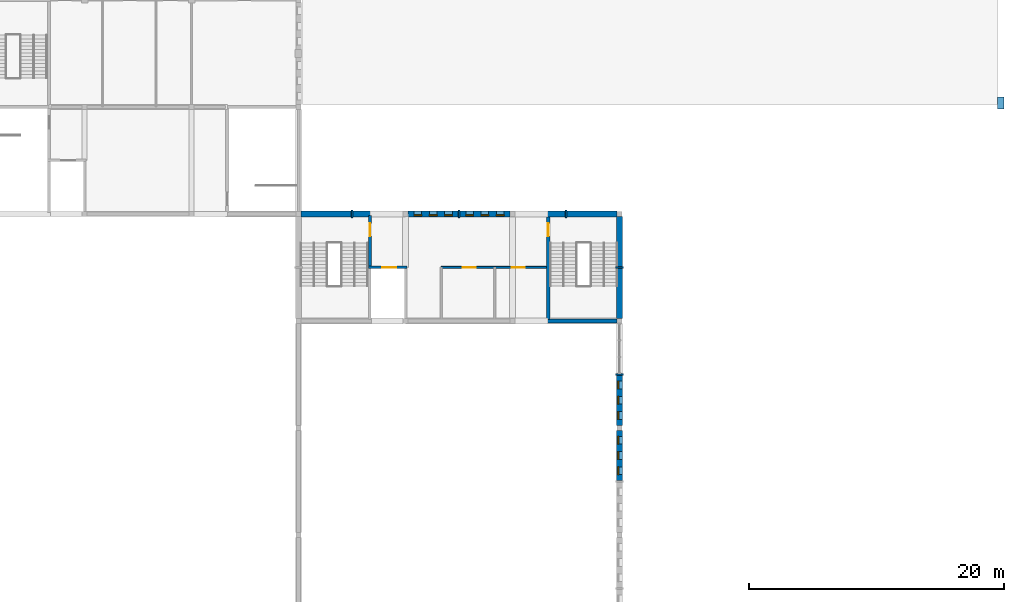
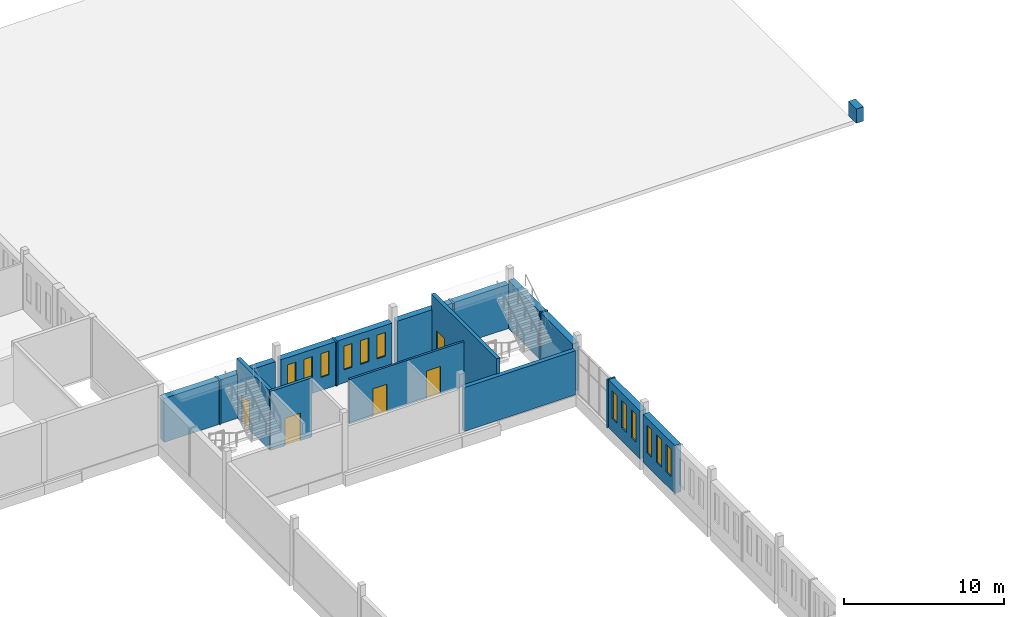
# One storey, part 88 of 101: 21 walls, 12 windows, 5 doors, 17 openings.
"""IFC4 building model written with IfcOpenShell, lengths in metres."""

from ifc_helpers import new_model, si_unit, direction, frame, frame_2d, origin, place, context, subcontext, project, spatial, rectangle, extrude, material, layer, layer_set, type_object, element, fill, save


model = new_model("IFC4")

# Units and contexts
model_context = context("Model", 3, precision=1e-05, world=origin(), true_north=direction((0.0, 1.0)))
body_context = subcontext(model_context, "Body", "Model", "MODEL_VIEW")
ifc_project = project(units=[si_unit("LENGTHUNIT", "METRE"), si_unit("AREAUNIT", "SQUARE_METRE"), si_unit("VOLUMEUNIT", "CUBIC_METRE"), si_unit("PLANEANGLEUNIT", "RADIAN"), si_unit("MASSUNIT", "GRAM", prefix="KILO")], contexts=[model_context])

# Site, building, storey
site_placement = place(None, origin())
site = spatial("IfcSite", under=ifc_project, at=site_placement, CompositionType="ELEMENT")
building_placement = place(site_placement, origin())
building = spatial("IfcBuilding", under=site, at=building_placement, Name="Fescue Hill Polytechnic", CompositionType="ELEMENT")
storey_placement = place(building_placement, frame((0.0, 0.0, 9.0)))
storey = spatial("IfcBuildingStorey", under=building, at=storey_placement, Name="L02", CompositionType="ELEMENT", Elevation=9.0)

# Wall, opening, door
ifc_material_1 = material(Name="Concrete 40 MPa", Category="concrete")
ifc_layer_1 = layer(ifc_material_1, 0.25)
ifc_layer_set_1 = layer_set([ifc_layer_1], Name="Concrete 40 MPa")
wall_type_1 = type_object("IfcWallType", Name="Core wall 250", PredefinedType="SHEAR", material=ifc_layer_set_1)
wall_1_placement = place(storey_placement, frame((123.199951171875, 96.610107421875, 0.0), z_axis=(0.0, 0.0, 1.0), x_axis=(0.0, 1.0, 0.0)))
wall_1 = element("IfcWall", 1, at=wall_1_placement, inside=storey, type_object=wall_type_1, Name="CW-L02-ST-V2-1-41", PredefinedType="SHEAR", context=body_context, shape_type="SweptSolid", body=[
    extrude(rectangle(XDim=4.06494140625, YDim=0.25, at=frame_2d((2.032470703125, 0.0))), origin(), (0.0, 0.0, 1.0), 4.5),
])
opening_1_placement = place(wall_1_placement, frame((2.43994140625, 0.0, 0.0)))
opening_1 = element("IfcOpeningElement", 2, at=opening_1_placement, cuts=wall_1, Name="Opening D2083", PredefinedType="OPENING", context=body_context, shape_type="SweptSolid", body=[
    extrude(rectangle(XDim=1.0, YDim=2.10009765625, at=frame_2d((0.5, 1.050048828125))), frame((0.0, 0.135009765625, 0.0), z_axis=(0.0, -1.0, 0.0), x_axis=(1.0, 0.0, 0.0)), (0.0, 0.0, 1.0), 0.27001953125),
])
ifc_material_2 = material(Name="Steel fire door", Category="steel")
door_type_1 = type_object("IfcDoorType", Name="Door single swing 1000x2100 stair fire rated", OperationType="NOTDEFINED", PredefinedType="DOOR", material=ifc_material_2)
door_1_placement = place(opening_1_placement, origin())
door_1 = element("IfcDoor", 3, at=door_1_placement, inside=storey, type_object=door_type_1, Name="L02 ST-V2-1 stair door", OperationType="SINGLE_SWING_LEFT", OverallHeight=2.10009765625, OverallWidth=1.0, PredefinedType="DOOR", context=body_context, shape_type="SweptSolid", body=[
    extrude(rectangle(XDim=1.0, YDim=2.10009765625, at=frame_2d((0.5, 1.050048828125))), frame((0.0, 0.02490234375, 0.0), z_axis=(0.0, -1.0, 0.0), x_axis=(1.0, 0.0, 0.0)), (0.0, 0.0, 1.0), 0.050048828125),
])
fill(opening_1, door_1)

wall_2_placement = place(storey_placement, frame((137.199951171875, 92.52490234375, 0.0), z_axis=(0.0, 0.0, 1.0), x_axis=(0.0, 1.0, 0.0)))
wall_2 = element("IfcWall", 4, at=wall_2_placement, inside=storey, type_object=wall_type_1, Name="CW-L02-ST-V2-2-31", PredefinedType="SHEAR", context=body_context, shape_type="SweptSolid", body=[
    extrude(rectangle(XDim=8.150146484375, YDim=0.25, at=frame_2d((4.0751953125, 0.0))), origin(), (0.0, 0.0, 1.0), 4.5),
])
opening_2_placement = place(wall_2_placement, frame((6.52490234375, 0.0, 0.0)))
opening_2 = element("IfcOpeningElement", 5, at=opening_2_placement, cuts=wall_2, Name="Opening D2084", PredefinedType="OPENING", context=body_context, shape_type="SweptSolid", body=[
    extrude(rectangle(XDim=1.0, YDim=2.10009765625, at=frame_2d((0.5, 1.050048828125))), frame((0.0, 0.135009765625, 0.0), z_axis=(0.0, -1.0, 0.0), x_axis=(1.0, 0.0, 0.0)), (0.0, 0.0, 1.0), 0.27001953125),
])
door_2_placement = place(opening_2_placement, origin())
door_2 = element("IfcDoor", 6, at=door_2_placement, inside=storey, type_object=door_type_1, Name="L02 ST-V2-2 stair door", OperationType="SINGLE_SWING_RIGHT", OverallHeight=2.10009765625, OverallWidth=1.0, PredefinedType="DOOR", context=body_context, shape_type="SweptSolid", body=[
    extrude(rectangle(XDim=1.0, YDim=2.10009765625, at=frame_2d((0.5, 1.050048828125))), frame((0.0, 0.02490234375, 0.0), z_axis=(0.0, -1.0, 0.0), x_axis=(1.0, 0.0, 0.0)), (0.0, 0.0, 1.0), 0.050048828125),
])
fill(opening_2, door_2)

# Wall, openings, windows
ifc_layer_2 = layer(ifc_material_1, 0.449951171875)
ifc_layer_set_2 = layer_set([ifc_layer_2], Name="Concrete 40 MPa")
wall_type_2 = type_object("IfcWallType", Name="Exterior wall board-marked concrete 450", PredefinedType="SOLIDWALL", material=ifc_layer_set_2)
wall_3_placement = place(storey_placement, frame((134.199951171875, 100.800048828125, 0.0), z_axis=(0.0, 0.0, 1.0), x_axis=(-1.0, 0.0, 0.0)))
wall_3 = element("IfcWall", 7, at=wall_3_placement, inside=storey, type_object=wall_type_2, Name="EW-L02-V2-10", PredefinedType="SOLIDWALL", context=body_context, shape_type="SweptSolid", body=[
    extrude(rectangle(XDim=3.93994140625, YDim=0.449951171875, at=frame_2d((1.969970703125, 0.0))), origin(), (0.0, 0.0, 1.0), 3.35009765625),
])
opening_3_placement = place(wall_3_placement, frame((0.469970703125, 0.0, 1.0)))
opening_3 = element("IfcOpeningElement", 8, at=opening_3_placement, cuts=wall_3, Name="Opening W6R", PredefinedType="OPENING", context=body_context, shape_type="SweptSolid", body=[
    extrude(rectangle(XDim=0.60009765625, YDim=1.800048828125, at=frame_2d((0.300048828125, 0.89990234375))), frame((0.0, 0.23486328125, 0.0), z_axis=(0.0, -1.0, 0.0), x_axis=(1.0, 0.0, 0.0)), (0.0, 0.0, 1.0), 0.469970703125),
])
opening_4_placement = place(wall_3_placement, frame((1.669921875, 0.0, 1.0)))
opening_4 = element("IfcOpeningElement", 9, at=opening_4_placement, cuts=wall_3, Name="Opening W6R", PredefinedType="OPENING", context=body_context, shape_type="SweptSolid", body=[
    extrude(rectangle(XDim=0.60009765625, YDim=1.800048828125, at=frame_2d((0.300048828125, 0.89990234375))), frame((0.0, 0.23486328125, 0.0), z_axis=(0.0, -1.0, 0.0), x_axis=(1.0, 0.0, 0.0)), (0.0, 0.0, 1.0), 0.469970703125),
])
opening_5_placement = place(wall_3_placement, frame((2.8701171875, 0.0, 1.0)))
opening_5 = element("IfcOpeningElement", 10, at=opening_5_placement, cuts=wall_3, Name="Opening W6R", PredefinedType="OPENING", context=body_context, shape_type="SweptSolid", body=[
    extrude(rectangle(XDim=0.60009765625, YDim=1.800048828125, at=frame_2d((0.300048828125, 0.89990234375))), frame((0.0, 0.23486328125, 0.0), z_axis=(0.0, -1.0, 0.0), x_axis=(1.0, 0.0, 0.0)), (0.0, 0.0, 1.0), 0.469970703125),
])
ifc_material_3 = material(Name="Powder-coated aluminium and glass", Category="aluminium")
window_type_1 = type_object("IfcWindowType", Name="Window slot 600x1800", PartitioningType="SINGLE_PANEL", PredefinedType="WINDOW", material=ifc_material_3)
window_1_placement = place(opening_3_placement, origin())
window_1 = element("IfcWindow", 11, at=window_1_placement, inside=storey, type_object=window_type_1, Name="WN-L02-V2-1", OverallHeight=1.800048828125, OverallWidth=0.60009765625, PartitioningType="SINGLE_PANEL", PredefinedType="WINDOW", context=body_context, shape_type="SweptSolid", body=[
    extrude(rectangle(XDim=0.60009765625, YDim=1.800048828125, at=frame_2d((0.300048828125, 0.89990234375))), frame((0.0, 0.135009765625, 0.0), z_axis=(0.0, -1.0, 0.0), x_axis=(1.0, 0.0, 0.0)), (0.0, 0.0, 1.0), 0.06005859375),
])
fill(opening_3, window_1)
window_2_placement = place(opening_4_placement, origin())
window_2 = element("IfcWindow", 12, at=window_2_placement, inside=storey, type_object=window_type_1, Name="WN-L02-V2-2", OverallHeight=1.800048828125, OverallWidth=0.60009765625, PartitioningType="SINGLE_PANEL", PredefinedType="WINDOW", context=body_context, shape_type="SweptSolid", body=[
    extrude(rectangle(XDim=0.60009765625, YDim=1.800048828125, at=frame_2d((0.300048828125, 0.89990234375))), frame((0.0, 0.135009765625, 0.0), z_axis=(0.0, -1.0, 0.0), x_axis=(1.0, 0.0, 0.0)), (0.0, 0.0, 1.0), 0.06005859375),
])
fill(opening_4, window_2)
window_3_placement = place(opening_5_placement, origin())
window_3 = element("IfcWindow", 13, at=window_3_placement, inside=storey, type_object=window_type_1, Name="WN-L02-V2-3", OverallHeight=1.800048828125, OverallWidth=0.60009765625, PartitioningType="SINGLE_PANEL", PredefinedType="WINDOW", context=body_context, shape_type="SweptSolid", body=[
    extrude(rectangle(XDim=0.60009765625, YDim=1.800048828125, at=frame_2d((0.300048828125, 0.89990234375))), frame((0.0, 0.135009765625, 0.0), z_axis=(0.0, -1.0, 0.0), x_axis=(1.0, 0.0, 0.0)), (0.0, 0.0, 1.0), 0.06005859375),
])
fill(opening_5, window_3)

wall_4_placement = place(storey_placement, frame((130.139892578125, 100.800048828125, 0.0), z_axis=(0.0, 0.0, 1.0), x_axis=(-1.0, 0.0, 0.0)))
wall_4 = element("IfcWall", 14, at=wall_4_placement, inside=storey, type_object=wall_type_2, Name="EW-L02-V2-11", PredefinedType="SOLIDWALL", context=body_context, shape_type="SweptSolid", body=[
    extrude(rectangle(XDim=3.93994140625, YDim=0.449951171875, at=frame_2d((1.969970703125, 0.0))), origin(), (0.0, 0.0, 1.0), 3.35009765625),
])
opening_6_placement = place(wall_4_placement, frame((0.469970703125, 0.0, 1.0)))
opening_6 = element("IfcOpeningElement", 15, at=opening_6_placement, cuts=wall_4, Name="Opening W6R", PredefinedType="OPENING", context=body_context, shape_type="SweptSolid", body=[
    extrude(rectangle(XDim=0.60009765625, YDim=1.800048828125, at=frame_2d((0.300048828125, 0.89990234375))), frame((0.0, 0.23486328125, 0.0), z_axis=(0.0, -1.0, 0.0), x_axis=(1.0, 0.0, 0.0)), (0.0, 0.0, 1.0), 0.469970703125),
])
opening_7_placement = place(wall_4_placement, frame((1.669921875, 0.0, 1.0)))
opening_7 = element("IfcOpeningElement", 16, at=opening_7_placement, cuts=wall_4, Name="Opening W6R", PredefinedType="OPENING", context=body_context, shape_type="SweptSolid", body=[
    extrude(rectangle(XDim=0.60009765625, YDim=1.800048828125, at=frame_2d((0.300048828125, 0.89990234375))), frame((0.0, 0.23486328125, 0.0), z_axis=(0.0, -1.0, 0.0), x_axis=(1.0, 0.0, 0.0)), (0.0, 0.0, 1.0), 0.469970703125),
])
opening_8_placement = place(wall_4_placement, frame((2.8701171875, 0.0, 1.0)))
opening_8 = element("IfcOpeningElement", 17, at=opening_8_placement, cuts=wall_4, Name="Opening W6R", PredefinedType="OPENING", context=body_context, shape_type="SweptSolid", body=[
    extrude(rectangle(XDim=0.60009765625, YDim=1.800048828125, at=frame_2d((0.300048828125, 0.89990234375))), frame((0.0, 0.23486328125, 0.0), z_axis=(0.0, -1.0, 0.0), x_axis=(1.0, 0.0, 0.0)), (0.0, 0.0, 1.0), 0.469970703125),
])
window_4_placement = place(opening_6_placement, origin())
window_4 = element("IfcWindow", 18, at=window_4_placement, inside=storey, type_object=window_type_1, Name="WN-L02-V2-4", OverallHeight=1.800048828125, OverallWidth=0.60009765625, PartitioningType="SINGLE_PANEL", PredefinedType="WINDOW", context=body_context, shape_type="SweptSolid", body=[
    extrude(rectangle(XDim=0.60009765625, YDim=1.800048828125, at=frame_2d((0.300048828125, 0.89990234375))), frame((0.0, 0.135009765625, 0.0), z_axis=(0.0, -1.0, 0.0), x_axis=(1.0, 0.0, 0.0)), (0.0, 0.0, 1.0), 0.06005859375),
])
fill(opening_6, window_4)
window_5_placement = place(opening_7_placement, origin())
window_5 = element("IfcWindow", 19, at=window_5_placement, inside=storey, type_object=window_type_1, Name="WN-L02-V2-5", OverallHeight=1.800048828125, OverallWidth=0.60009765625, PartitioningType="SINGLE_PANEL", PredefinedType="WINDOW", context=body_context, shape_type="SweptSolid", body=[
    extrude(rectangle(XDim=0.60009765625, YDim=1.800048828125, at=frame_2d((0.300048828125, 0.89990234375))), frame((0.0, 0.135009765625, 0.0), z_axis=(0.0, -1.0, 0.0), x_axis=(1.0, 0.0, 0.0)), (0.0, 0.0, 1.0), 0.06005859375),
])
fill(opening_7, window_5)
window_6_placement = place(opening_8_placement, origin())
window_6 = element("IfcWindow", 20, at=window_6_placement, inside=storey, type_object=window_type_1, Name="WN-L02-V2-6", OverallHeight=1.800048828125, OverallWidth=0.60009765625, PartitioningType="SINGLE_PANEL", PredefinedType="WINDOW", context=body_context, shape_type="SweptSolid", body=[
    extrude(rectangle(XDim=0.60009765625, YDim=1.800048828125, at=frame_2d((0.300048828125, 0.89990234375))), frame((0.0, 0.135009765625, 0.0), z_axis=(0.0, -1.0, 0.0), x_axis=(1.0, 0.0, 0.0)), (0.0, 0.0, 1.0), 0.06005859375),
])
fill(opening_8, window_6)

wall_5_placement = place(storey_placement, frame((142.800048828125, 79.860107421875, 0.0), z_axis=(0.0, 0.0, 1.0), x_axis=(0.0, 1.0, 0.0)))
wall_5 = element("IfcWall", 21, at=wall_5_placement, inside=storey, type_object=wall_type_2, Name="EW-L02-V2-25", PredefinedType="SOLIDWALL", context=body_context, shape_type="SweptSolid", body=[
    extrude(rectangle(XDim=3.93994140625, YDim=0.449951171875, at=frame_2d((1.969970703125, 0.0))), origin(), (0.0, 0.0, 1.0), 3.64990234375),
])
opening_9_placement = place(wall_5_placement, frame((0.469970703125, 0.0, 1.0)))
opening_9 = element("IfcOpeningElement", 22, at=opening_9_placement, cuts=wall_5, Name="Opening W6", PredefinedType="OPENING", context=body_context, shape_type="SweptSolid", body=[
    extrude(rectangle(XDim=0.60009765625, YDim=2.10009765625, at=frame_2d((0.300048828125, 1.050048828125))), frame((0.0, 0.23486328125, 0.0), z_axis=(0.0, -1.0, 0.0), x_axis=(1.0, 0.0, 0.0)), (0.0, 0.0, 1.0), 0.469970703125),
])
opening_10_placement = place(wall_5_placement, frame((1.669921875, 0.0, 1.0)))
opening_10 = element("IfcOpeningElement", 23, at=opening_10_placement, cuts=wall_5, Name="Opening W6", PredefinedType="OPENING", context=body_context, shape_type="SweptSolid", body=[
    extrude(rectangle(XDim=0.60009765625, YDim=2.10009765625, at=frame_2d((0.300048828125, 1.050048828125))), frame((0.0, 0.23486328125, 0.0), z_axis=(0.0, -1.0, 0.0), x_axis=(1.0, 0.0, 0.0)), (0.0, 0.0, 1.0), 0.469970703125),
])
opening_11_placement = place(wall_5_placement, frame((2.8701171875, 0.0, 1.0)))
opening_11 = element("IfcOpeningElement", 24, at=opening_11_placement, cuts=wall_5, Name="Opening W6", PredefinedType="OPENING", context=body_context, shape_type="SweptSolid", body=[
    extrude(rectangle(XDim=0.60009765625, YDim=2.10009765625, at=frame_2d((0.300048828125, 1.050048828125))), frame((0.0, 0.23486328125, 0.0), z_axis=(0.0, -1.0, 0.0), x_axis=(1.0, 0.0, 0.0)), (0.0, 0.0, 1.0), 0.469970703125),
])
window_type_2 = type_object("IfcWindowType", Name="Window slot 600x2100", PartitioningType="SINGLE_PANEL", PredefinedType="WINDOW", material=ifc_material_3)
window_7_placement = place(opening_9_placement, origin())
window_7 = element("IfcWindow", 25, at=window_7_placement, inside=storey, type_object=window_type_2, Name="WN-L02-V2-40", OverallHeight=2.10009765625, OverallWidth=0.60009765625, PartitioningType="SINGLE_PANEL", PredefinedType="WINDOW", context=body_context, shape_type="SweptSolid", body=[
    extrude(rectangle(XDim=0.60009765625, YDim=2.10009765625, at=frame_2d((0.300048828125, 1.050048828125))), frame((0.0, 0.135009765625, 0.0), z_axis=(0.0, -1.0, 0.0), x_axis=(1.0, 0.0, 0.0)), (0.0, 0.0, 1.0), 0.06005859375),
])
fill(opening_9, window_7)
window_8_placement = place(opening_10_placement, origin())
window_8 = element("IfcWindow", 26, at=window_8_placement, inside=storey, type_object=window_type_2, Name="WN-L02-V2-41", OverallHeight=2.10009765625, OverallWidth=0.60009765625, PartitioningType="SINGLE_PANEL", PredefinedType="WINDOW", context=body_context, shape_type="SweptSolid", body=[
    extrude(rectangle(XDim=0.60009765625, YDim=2.10009765625, at=frame_2d((0.300048828125, 1.050048828125))), frame((0.0, 0.135009765625, 0.0), z_axis=(0.0, -1.0, 0.0), x_axis=(1.0, 0.0, 0.0)), (0.0, 0.0, 1.0), 0.06005859375),
])
fill(opening_10, window_8)
window_9_placement = place(opening_11_placement, origin())
window_9 = element("IfcWindow", 27, at=window_9_placement, inside=storey, type_object=window_type_2, Name="WN-L02-V2-42", OverallHeight=2.10009765625, OverallWidth=0.60009765625, PartitioningType="SINGLE_PANEL", PredefinedType="WINDOW", context=body_context, shape_type="SweptSolid", body=[
    extrude(rectangle(XDim=0.60009765625, YDim=2.10009765625, at=frame_2d((0.300048828125, 1.050048828125))), frame((0.0, 0.135009765625, 0.0), z_axis=(0.0, -1.0, 0.0), x_axis=(1.0, 0.0, 0.0)), (0.0, 0.0, 1.0), 0.06005859375),
])
fill(opening_11, window_9)

wall_6_placement = place(storey_placement, frame((142.800048828125, 84.199951171875, 0.0), z_axis=(0.0, 0.0, 1.0), x_axis=(0.0, 1.0, 0.0)))
wall_6 = element("IfcWall", 28, at=wall_6_placement, inside=storey, type_object=wall_type_2, Name="EW-L02-V2-26", PredefinedType="SOLIDWALL", context=body_context, shape_type="SweptSolid", body=[
    extrude(rectangle(XDim=3.93994140625, YDim=0.449951171875, at=frame_2d((1.969970703125, 0.0))), origin(), (0.0, 0.0, 1.0), 3.64990234375),
])
opening_12_placement = place(wall_6_placement, frame((0.469970703125, 0.0, 1.0)))
opening_12 = element("IfcOpeningElement", 29, at=opening_12_placement, cuts=wall_6, Name="Opening W6", PredefinedType="OPENING", context=body_context, shape_type="SweptSolid", body=[
    extrude(rectangle(XDim=0.60009765625, YDim=2.10009765625, at=frame_2d((0.300048828125, 1.050048828125))), frame((0.0, 0.23486328125, 0.0), z_axis=(0.0, -1.0, 0.0), x_axis=(1.0, 0.0, 0.0)), (0.0, 0.0, 1.0), 0.469970703125),
])
opening_13_placement = place(wall_6_placement, frame((1.669921875, 0.0, 1.0)))
opening_13 = element("IfcOpeningElement", 30, at=opening_13_placement, cuts=wall_6, Name="Opening W6", PredefinedType="OPENING", context=body_context, shape_type="SweptSolid", body=[
    extrude(rectangle(XDim=0.60009765625, YDim=2.10009765625, at=frame_2d((0.300048828125, 1.050048828125))), frame((0.0, 0.23486328125, 0.0), z_axis=(0.0, -1.0, 0.0), x_axis=(1.0, 0.0, 0.0)), (0.0, 0.0, 1.0), 0.469970703125),
])
opening_14_placement = place(wall_6_placement, frame((2.8701171875, 0.0, 1.0)))
opening_14 = element("IfcOpeningElement", 31, at=opening_14_placement, cuts=wall_6, Name="Opening W6", PredefinedType="OPENING", context=body_context, shape_type="SweptSolid", body=[
    extrude(rectangle(XDim=0.60009765625, YDim=2.10009765625, at=frame_2d((0.300048828125, 1.050048828125))), frame((0.0, 0.23486328125, 0.0), z_axis=(0.0, -1.0, 0.0), x_axis=(1.0, 0.0, 0.0)), (0.0, 0.0, 1.0), 0.469970703125),
])
window_10_placement = place(opening_12_placement, origin())
window_10 = element("IfcWindow", 32, at=window_10_placement, inside=storey, type_object=window_type_2, Name="WN-L02-V2-43", OverallHeight=2.10009765625, OverallWidth=0.60009765625, PartitioningType="SINGLE_PANEL", PredefinedType="WINDOW", context=body_context, shape_type="SweptSolid", body=[
    extrude(rectangle(XDim=0.60009765625, YDim=2.10009765625, at=frame_2d((0.300048828125, 1.050048828125))), frame((0.0, 0.135009765625, 0.0), z_axis=(0.0, -1.0, 0.0), x_axis=(1.0, 0.0, 0.0)), (0.0, 0.0, 1.0), 0.06005859375),
])
fill(opening_12, window_10)
window_11_placement = place(opening_13_placement, origin())
window_11 = element("IfcWindow", 33, at=window_11_placement, inside=storey, type_object=window_type_2, Name="WN-L02-V2-44", OverallHeight=2.10009765625, OverallWidth=0.60009765625, PartitioningType="SINGLE_PANEL", PredefinedType="WINDOW", context=body_context, shape_type="SweptSolid", body=[
    extrude(rectangle(XDim=0.60009765625, YDim=2.10009765625, at=frame_2d((0.300048828125, 1.050048828125))), frame((0.0, 0.135009765625, 0.0), z_axis=(0.0, -1.0, 0.0), x_axis=(1.0, 0.0, 0.0)), (0.0, 0.0, 1.0), 0.06005859375),
])
fill(opening_13, window_11)
window_12_placement = place(opening_14_placement, origin())
window_12 = element("IfcWindow", 34, at=window_12_placement, inside=storey, type_object=window_type_2, Name="WN-L02-V2-45", OverallHeight=2.10009765625, OverallWidth=0.60009765625, PartitioningType="SINGLE_PANEL", PredefinedType="WINDOW", context=body_context, shape_type="SweptSolid", body=[
    extrude(rectangle(XDim=0.60009765625, YDim=2.10009765625, at=frame_2d((0.300048828125, 1.050048828125))), frame((0.0, 0.135009765625, 0.0), z_axis=(0.0, -1.0, 0.0), x_axis=(1.0, 0.0, 0.0)), (0.0, 0.0, 1.0), 0.06005859375),
])
fill(opening_14, window_12)

# Walls
ifc_layer_3 = layer(ifc_material_1, 0.449951171875)
ifc_layer_set_3 = layer_set([ifc_layer_3], Name="Concrete 40 MPa")
wall_type_3 = type_object("IfcWallType", Name="Exterior wall board-marked concrete 450 load-bearing", PredefinedType="SOLIDWALL", material=ifc_layer_set_3)
wall_7_placement = place(storey_placement, frame((142.800048828125, 92.60009765625, 0.0), z_axis=(0.0, 0.0, 1.0), x_axis=(0.0, 1.0, 0.0)))
element("IfcWall", 35, at=wall_7_placement, inside=storey, type_object=wall_type_3, Name="EW-L02-V2-6", PredefinedType="SOLIDWALL", context=body_context, shape_type="SweptSolid", body=[
    extrude(rectangle(XDim=3.93994140625, YDim=0.449951171875, at=frame_2d((1.969970703125, 0.0))), origin(), (0.0, 0.0, 1.0), 3.64990234375),
])
wall_8_placement = place(storey_placement, frame((142.800048828125, 96.659912109375, 0.0), z_axis=(0.0, 0.0, 1.0), x_axis=(0.0, 1.0, 0.0)))
element("IfcWall", 36, at=wall_8_placement, inside=storey, type_object=wall_type_3, Name="EW-L02-V2-7", PredefinedType="SOLIDWALL", context=body_context, shape_type="SweptSolid", body=[
    extrude(rectangle(XDim=3.940185546875, YDim=0.449951171875, at=frame_2d((1.97021484375, 0.0))), origin(), (0.0, 0.0, 1.0), 3.64990234375),
])
wall_9_placement = place(storey_placement, frame((142.60009765625, 100.800048828125, 0.0), z_axis=(0.0, 0.0, 1.0), x_axis=(-1.0, 0.0, 0.0)))
element("IfcWall", 37, at=wall_9_placement, inside=storey, type_object=wall_type_3, Name="EW-L02-V2-8", PredefinedType="SOLIDWALL", context=body_context, shape_type="SweptSolid", body=[
    extrude(rectangle(XDim=3.940185546875, YDim=0.449951171875, at=frame_2d((1.97021484375, 0.0))), origin(), (0.0, 0.0, 1.0), 3.35009765625),
])
for number, where, z_axis, x_axis, name in (
    (38, (138.5400390625, 100.800048828125, 0.0), (0.0, 0.0, 1.0), (-1.0, 0.0, 0.0), "EW-L02-V2-9"),
    (39, (125.800048828125, 100.800048828125, 0.0), (0.0, 0.0, 1.0), (-1.0, 0.0, 0.0), "EW-L02-V2-12"),
    (40, (121.739990234375, 100.800048828125, 0.0), (0.0, 0.0, 1.0), (-1.0, 0.0, 0.0), "EW-L02-V2-13"),
):
    element("IfcWall", number, at=place(storey_placement, frame(where, z_axis=z_axis, x_axis=x_axis)), inside=storey, type_object=wall_type_3, Name=name, PredefinedType="SOLIDWALL", context=body_context, shape_type="SweptSolid", body=[
        extrude(rectangle(XDim=3.93994140625, YDim=0.449951171875, at=frame_2d((1.969970703125, 0.0))), origin(), (0.0, 0.0, 1.0), 3.35009765625),
    ])
ifc_layer_4 = layer(ifc_material_1, 0.300048828125)
ifc_layer_set_4 = layer_set([ifc_layer_4], Name="Concrete 40 MPa")
wall_type_4 = type_object("IfcWallType", Name="Hall wall concrete 300 load-bearing REI 120", PredefinedType="SOLIDWALL", material=ifc_layer_set_4)
wall_10_placement = place(storey_placement, frame((134.60009765625, 92.39990234375, 0.0), z_axis=(0.0, 0.0, 1.0), x_axis=(1.0, 0.0, 0.0)))
element("IfcWall", 41, at=wall_10_placement, inside=storey, type_object=wall_type_4, Name="EW-L02-V2-5", PredefinedType="SOLIDWALL", context=body_context, shape_type="SweptSolid", body=[
    extrude(rectangle(XDim=8.0, YDim=0.300048828125, at=frame_2d((4.0, 0.0))), origin(), (0.0, 0.0, 1.0), 3.35009765625),
])

# Wall, opening, door
ifc_layer_5 = layer(ifc_material_1, 0.199951171875)
ifc_layer_set_5 = layer_set([ifc_layer_5], Name="Concrete 40 MPa")
wall_type_5 = type_object("IfcWallType", Name="Lift shaft wall 200", PredefinedType="SHEAR", material=ifc_layer_set_5)
wall_11_placement = place(storey_placement, frame((123.10009765625, 96.60009765625, 0.0), z_axis=(0.0, 0.0, 1.0), x_axis=(1.0, 0.0, 0.0)))
wall_11 = element("IfcWall", 42, at=wall_11_placement, inside=storey, type_object=wall_type_5, Name="CW-L02-LF-V2-1-21", PredefinedType="SHEAR", context=body_context, shape_type="SweptSolid", body=[
    extrude(rectangle(XDim=3.0, YDim=0.199951171875, at=frame_2d((1.5, 0.0))), origin(), (0.0, 0.0, 1.0), 4.5),
])
opening_15_placement = place(wall_11_placement, frame((1.050048828125, 0.0, 0.0)))
opening_15 = element("IfcOpeningElement", 43, at=opening_15_placement, cuts=wall_11, Name="Opening LD3-L02", PredefinedType="OPENING", context=body_context, shape_type="SweptSolid", body=[
    extrude(rectangle(XDim=1.10009765625, YDim=2.10009765625, at=frame_2d((0.550048828125, 1.050048828125))), frame((0.0, 0.10986328125, 0.0), z_axis=(0.0, -1.0, 0.0), x_axis=(1.0, 0.0, 0.0)), (0.0, 0.0, 1.0), 0.219970703125),
])
ifc_material_4 = material(Name="Stainless steel", Category="steel")
door_type_2 = type_object("IfcDoorType", Name="Lift landing door sliding 1100x2100", OperationType="SLIDING_TO_LEFT", PredefinedType="DOOR", material=ifc_material_4)
door_3_placement = place(opening_15_placement, origin())
door_3 = element("IfcDoor", 44, at=door_3_placement, inside=storey, type_object=door_type_2, Name="L02 LF-V2-1 lift landing door", OperationType="SLIDING_TO_LEFT", OverallHeight=2.10009765625, OverallWidth=1.10009765625, PredefinedType="DOOR", context=body_context, shape_type="SweptSolid", body=[
    extrude(rectangle(XDim=1.10009765625, YDim=2.10009765625, at=frame_2d((0.550048828125, 1.050048828125))), frame((0.0, 0.02490234375, 0.0), z_axis=(0.0, -1.0, 0.0), x_axis=(1.0, 0.0, 0.0)), (0.0, 0.0, 1.0), 0.050048828125),
])
fill(opening_15, door_3)

# Wall, openings, doors
ifc_material_5 = material(Name="Gypsum board partition")
ifc_layer_6 = layer(ifc_material_5, 0.14990234375)
ifc_layer_set_6 = layer_set([ifc_layer_6], Name="Gypsum board partition")
wall_type_6 = type_object("IfcWallType", Name="Lobby wall 150 EI 60", PredefinedType="PARTITIONING", material=ifc_layer_set_6)
wall_12_placement = place(storey_placement, frame((128.800048828125, 96.60009765625, 0.0), z_axis=(0.0, 0.0, 1.0), x_axis=(1.0, 0.0, 0.0)))
wall_12 = element("IfcWall", 45, at=wall_12_placement, inside=storey, type_object=wall_type_6, Name="IW-L02-045", PredefinedType="PARTITIONING", context=body_context, shape_type="SweptSolid", body=[
    extrude(rectangle(XDim=8.25, YDim=0.14990234375, at=frame_2d((4.125, 0.0))), origin(), (0.0, 0.0, 1.0), 3.39990234375),
])
opening_16_placement = place(wall_12_placement, frame((1.699951171875, 0.0, 0.0)))
opening_16 = element("IfcOpeningElement", 46, at=opening_16_placement, cuts=wall_12, Name="Opening D2034", PredefinedType="OPENING", context=body_context, shape_type="SweptSolid", body=[
    extrude(rectangle(XDim=1.0, YDim=2.10009765625, at=frame_2d((0.5, 1.050048828125))), frame((0.0, 0.0849609375, 0.0), z_axis=(0.0, -1.0, 0.0), x_axis=(1.0, 0.0, 0.0)), (0.0, 0.0, 1.0), 0.169921875),
])
opening_17_placement = place(wall_12_placement, frame((5.550048828125, 0.0, 0.0)))
opening_17 = element("IfcOpeningElement", 47, at=opening_17_placement, cuts=wall_12, Name="Opening D2035", PredefinedType="OPENING", context=body_context, shape_type="SweptSolid", body=[
    extrude(rectangle(XDim=1.0, YDim=2.10009765625, at=frame_2d((0.5, 1.050048828125))), frame((0.0, 0.0849609375, 0.0), z_axis=(0.0, -1.0, 0.0), x_axis=(1.0, 0.0, 0.0)), (0.0, 0.0, 1.0), 0.169921875),
])
ifc_material_6 = material(Name="Steel", Category="steel")
door_type_3 = type_object("IfcDoorType", Name="Door single swing 1000x2100 FD60", OperationType="SINGLE_SWING_LEFT", PredefinedType="DOOR", material=ifc_material_6)
door_4_placement = place(opening_16_placement, origin())
door_4 = element("IfcDoor", 48, at=door_4_placement, inside=storey, type_object=door_type_3, Name="Door D2034", OperationType="SINGLE_SWING_LEFT", OverallHeight=2.10009765625, OverallWidth=1.0, PredefinedType="DOOR", context=body_context, shape_type="SweptSolid", body=[
    extrude(rectangle(XDim=1.0, YDim=2.10009765625, at=frame_2d((0.5, 1.050048828125))), frame((0.0, 0.02490234375, 0.0), z_axis=(0.0, -1.0, 0.0), x_axis=(1.0, 0.0, 0.0)), (0.0, 0.0, 1.0), 0.050048828125),
])
fill(opening_16, door_4)
door_5_placement = place(opening_17_placement, origin())
door_5 = element("IfcDoor", 49, at=door_5_placement, inside=storey, type_object=door_type_3, Name="Door D2035", OperationType="SINGLE_SWING_RIGHT", OverallHeight=2.10009765625, OverallWidth=1.0, PredefinedType="DOOR", context=body_context, shape_type="SweptSolid", body=[
    extrude(rectangle(XDim=1.0, YDim=2.10009765625, at=frame_2d((0.5, 1.050048828125))), frame((0.0, 0.02490234375, 0.0), z_axis=(0.0, -1.0, 0.0), x_axis=(1.0, 0.0, 0.0)), (0.0, 0.0, 1.0), 0.050048828125),
])
fill(opening_17, door_5)

# Walls
ifc_material_7 = material(Name="Concrete 35 MPa", Category="concrete")
ifc_layer_7 = layer(ifc_material_7, 0.5)
ifc_layer_set_7 = layer_set([ifc_layer_7], Name="Concrete 35 MPa")
wall_type_7 = type_object("IfcWallType", Name="Retaining wall 500", PredefinedType="SOLIDWALL", material=ifc_layer_set_7)
wall_13_placement = place(storey_placement, frame((172.742919921875, 109.02490234375, 0.0), z_axis=(0.0, 0.0, 1.0), x_axis=(0.0, 1.0, 0.0)))
element("IfcWall", 50, at=wall_13_placement, inside=storey, type_object=wall_type_7, Name="RT-PW27", PredefinedType="SOLIDWALL", context=body_context, shape_type="SweptSolid", body=[
    extrude(rectangle(XDim=0.97509765625, YDim=0.5, at=frame_2d((0.487548828125, 0.0))), origin(), (0.0, 0.0, 1.0), 1.10009765625),
])
ifc_material_8 = material(Name="Glulam 24f-EX", Category="wood")
ifc_layer_8 = layer(ifc_material_8, 0.60009765625)
ifc_layer_set_8 = layer_set([ifc_layer_8], Name="Glulam 24f-EX")
wall_type_8 = type_object("IfcWallType", Name="Timber fin 120x600", PredefinedType="SOLIDWALL", material=ifc_layer_set_8)
wall_14_placement = place(storey_placement, frame((142.800048828125, 96.5400390625, 0.0), z_axis=(0.0, 0.0, 1.0), x_axis=(0.0, 1.0, 0.0)))
element("IfcWall", 51, at=wall_14_placement, inside=storey, type_object=wall_type_8, Name="PR-L02-V2-2", PredefinedType="SOLIDWALL", context=body_context, shape_type="SweptSolid", body=[
    extrude(rectangle(XDim=0.119873046875, YDim=0.60009765625, at=frame_2d((0.06005859375, 0.0))), origin(), (0.0, 0.0, 1.0), 3.64990234375),
])
wall_15_placement = place(storey_placement, frame((138.659912109375, 100.800048828125, 0.0), z_axis=(0.0, 0.0, 1.0), x_axis=(-1.0, 0.0, 0.0)))
element("IfcWall", 52, at=wall_15_placement, inside=storey, type_object=wall_type_8, Name="PR-L02-V2-3", PredefinedType="SOLIDWALL", context=body_context, shape_type="SweptSolid", body=[
    extrude(rectangle(XDim=0.119873046875, YDim=0.60009765625, at=frame_2d((0.06005859375, 0.0))), origin(), (0.0, 0.0, 1.0), 3.35009765625),
])
for number, where, z_axis, x_axis, name in (
    (53, (130.260009765625, 100.800048828125, 0.0), (0.0, 0.0, 1.0), (-1.0, 0.0, 0.0), "PR-L02-V2-4"),
    (54, (121.860107421875, 100.800048828125, 0.0), (0.0, 0.0, 1.0), (-1.0, 0.0, 0.0), "PR-L02-V2-5"),
):
    element("IfcWall", number, at=place(storey_placement, frame(where, z_axis=z_axis, x_axis=x_axis)), inside=storey, type_object=wall_type_8, Name=name, PredefinedType="SOLIDWALL", context=body_context, shape_type="SweptSolid", body=[
        extrude(rectangle(XDim=0.1201171875, YDim=0.60009765625, at=frame_2d((0.06005859375, 0.0))), origin(), (0.0, 0.0, 1.0), 3.35009765625),
    ])
wall_16_placement = place(storey_placement, frame((142.800048828125, 88.139892578125, 0.0), z_axis=(0.0, 0.0, 1.0), x_axis=(0.0, 1.0, 0.0)))
element("IfcWall", 55, at=wall_16_placement, inside=storey, type_object=wall_type_8, Name="PR-L02-V2-12", PredefinedType="SOLIDWALL", context=body_context, shape_type="SweptSolid", body=[
    extrude(rectangle(XDim=0.1201171875, YDim=0.60009765625, at=frame_2d((0.06005859375, 0.0))), origin(), (0.0, 0.0, 1.0), 3.64990234375),
])

save(model, "model.ifc")
